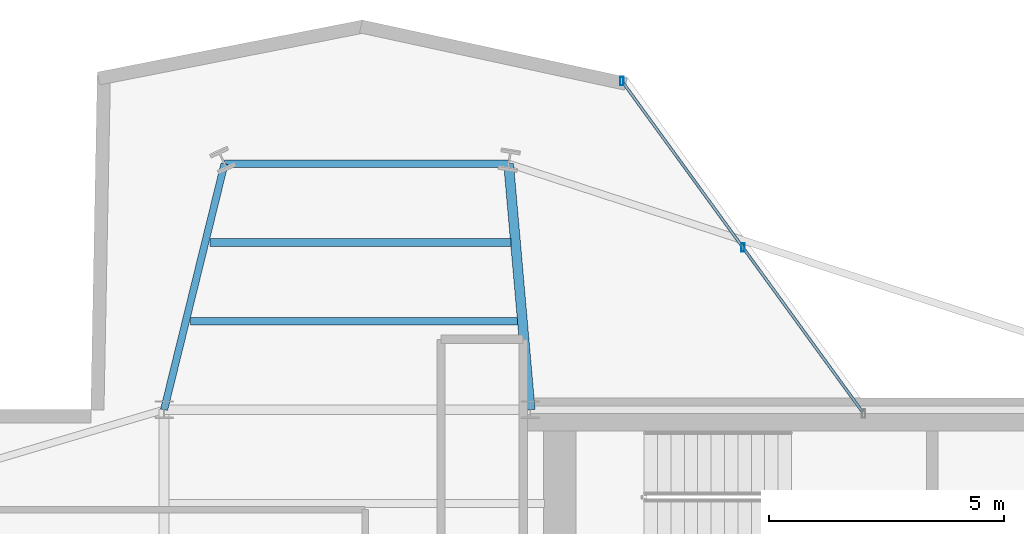
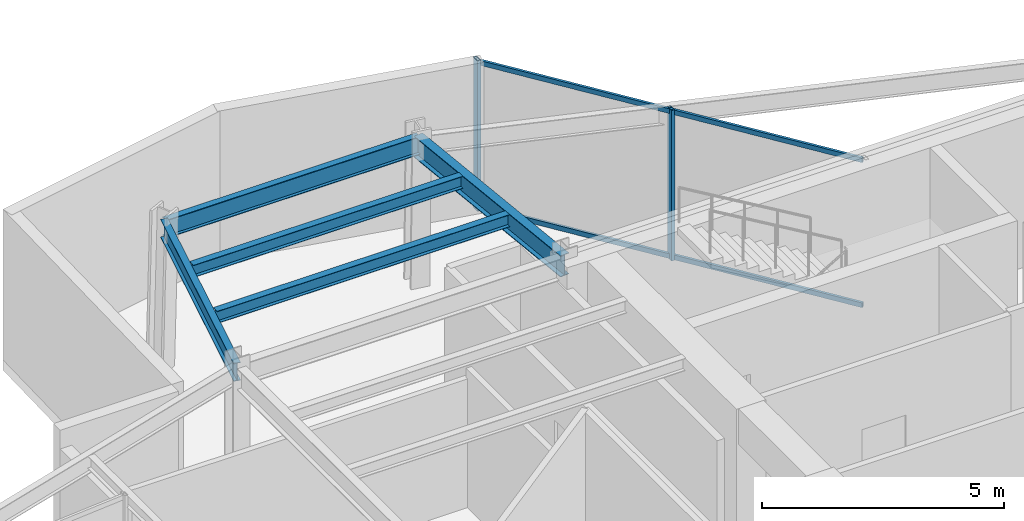
# One storey, part 11 of 21: 5 beams, 4 members, 1 element without a shape of its own.
"""IFC4 building model written with IfcOpenShell, lengths in metres."""

from ifc_helpers import new_model, si_unit, direction, frame, origin, origin_2d, place, context, subcontext, project, spatial, hollow_rectangle, i_section, extrude, material, layer, layer_set, material_profile, profile_set, type_object, element, aggregate, save


model = new_model("IFC4")

# Units and contexts
model_context = context("Model", 3, precision=1e-05, world=origin(), true_north=direction((0.0, 1.0)))
body_context = subcontext(model_context, "Body", "Model", "MODEL_VIEW")
ifc_project = project(units=[si_unit("LENGTHUNIT", "METRE"), si_unit("AREAUNIT", "SQUARE_METRE"), si_unit("VOLUMEUNIT", "CUBIC_METRE"), si_unit("PLANEANGLEUNIT", "RADIAN"), si_unit("MASSUNIT", "GRAM", prefix="KILO")], contexts=[model_context])

# Site, building, storey
site_placement = place(None, origin())
site = spatial("IfcSite", under=ifc_project, at=site_placement, CompositionType="ELEMENT")
building_placement = place(site_placement, origin())
building = spatial("IfcBuilding", under=site, at=building_placement, Name="Veymaron Broadcast Tower", CompositionType="ELEMENT")
storey_placement = place(building_placement, frame((0.0, 0.0, 232.35009765625)))
storey = spatial("IfcBuildingStorey", under=building, at=storey_placement, Name="L54", CompositionType="ELEMENT", Elevation=232.35009765625)

# Beams
ifc_material_1 = material(Name="Structural steel ASTM A992 Gr 50", Category="steel")
ifc_material_profile_1 = material_profile(ifc_material_1, i_section(OverallWidth=0.2099609375, OverallDepth=0.537109375, WebThickness=0.010986328125, FlangeThickness=0.017333984375, at=origin_2d()), Name="W530X101")
ifc_profile_set_1 = profile_set([ifc_material_profile_1], Name="Structural steel ASTM A992 Gr 50")
beam_type_1 = type_object("IfcBeamType", Name="BM-FG3", PredefinedType="BEAM", material=ifc_profile_set_1)
beam_1_placement = place(storey_placement, frame((39.0, 32.0, 3.521484375), z_axis=(-0.087442735318, 0.996169547838, 0.0), x_axis=(-0.996169547838, -0.087442735318, 0.0)))
element("IfcBeam", 1, at=beam_1_placement, inside=storey, type_object=beam_type_1, Name="L54 primary structural floor girder", PredefinedType="BEAM", context=body_context, shape_type="SweptSolid", body=[
    extrude(i_section(OverallWidth=0.2099609375, OverallDepth=0.537109375, WebThickness=0.010986328125, FlangeThickness=0.017333984375, at=origin_2d()), origin(), (0.0, 0.0, 1.0), 5.26025390625),
])
ifc_material_profile_2 = material_profile(ifc_material_1, i_section(OverallWidth=0.1650390625, OverallDepth=0.31005859375, WebThickness=0.005859375, FlangeThickness=0.009765625, at=origin_2d()), Name="W310X39")
ifc_profile_set_2 = profile_set([ifc_material_profile_2], Name="Structural steel ASTM A992 Gr 50")
beam_type_2 = type_object("IfcBeamType", Name="BM-JS3", PredefinedType="JOIST", material=ifc_profile_set_2)
beam_2_placement = place(storey_placement, frame((31.763671875, 33.886474609375, 3.635009765625), z_axis=(1.0, 0.0, 0.0), x_axis=(0.0, 1.0, 0.0)))
element("IfcBeam", 2, at=beam_2_placement, inside=storey, type_object=beam_type_2, Name="L54 Arm-B secondary joist 1", PredefinedType="JOIST", context=body_context, shape_type="SweptSolid", body=[
    extrude(i_section(OverallWidth=0.1650390625, OverallDepth=0.31005859375, WebThickness=0.005859375, FlangeThickness=0.009765625, at=origin_2d()), origin(), (0.0, 0.0, 1.0), 6.970703125),
])
beam_3_placement = place(storey_placement, frame((32.17578125, 35.563232421875, 3.635009765625), z_axis=(1.0, 0.0, 0.0), x_axis=(0.0, 1.0, 0.0)))
element("IfcBeam", 3, at=beam_3_placement, inside=storey, type_object=beam_type_2, Name="L54 Arm-B secondary joist 2", PredefinedType="JOIST", context=body_context, shape_type="SweptSolid", body=[
    extrude(i_section(OverallWidth=0.1650390625, OverallDepth=0.31005859375, WebThickness=0.005859375, FlangeThickness=0.009765625, at=origin_2d()), origin(), (0.0, 0.0, 1.0), 6.411376953125),
])
ifc_material_profile_3 = material_profile(ifc_material_1, i_section(OverallWidth=0.154052734375, OverallDepth=0.458984375, WebThickness=0.009033203125, FlangeThickness=0.015380859375, at=origin_2d()), Name="W460X68")
ifc_profile_set_3 = profile_set([ifc_material_profile_3], Name="Structural steel ASTM A992 Gr 50")
beam_type_3 = type_object("IfcBeamType", Name="BM-SP2", PredefinedType="SPANDREL", material=ifc_profile_set_3)
beam_4_placement = place(storey_placement, frame((31.199951171875, 32.0, 3.560302734375), z_axis=(0.238711883044, 0.971090437031, 0.0), x_axis=(-0.971090437031, 0.238711883044, 0.0)))
element("IfcBeam", 4, at=beam_4_placement, inside=storey, type_object=beam_type_3, Name="L54 primary structural floor girder", PredefinedType="SPANDREL", context=body_context, shape_type="SweptSolid", body=[
    extrude(i_section(OverallWidth=0.154052734375, OverallDepth=0.458984375, WebThickness=0.009033203125, FlangeThickness=0.015380859375, at=origin_2d()), origin(), (0.0, 0.0, 1.0), 5.39599609375),
])
beam_5_placement = place(storey_placement, frame((32.488037109375, 37.239990234375, 3.560302734375), z_axis=(1.0, 0.0, 0.0), x_axis=(0.0, 1.0, 0.0)))
element("IfcBeam", 5, at=beam_5_placement, inside=storey, type_object=beam_type_3, Name="L54 primary structural floor girder", PredefinedType="SPANDREL", context=body_context, shape_type="SweptSolid", body=[
    extrude(i_section(OverallWidth=0.154052734375, OverallDepth=0.458984375, WebThickness=0.009033203125, FlangeThickness=0.015380859375, at=origin_2d()), origin(), (0.0, 0.0, 1.0), 6.052001953125),
])

# Curtain wall, members
ifc_material_2 = material(Name="Anodised aluminium AA 6063-T6 and laminated low-E dark glass", Category="aluminium")
ifc_layer = layer(ifc_material_2, 0.179931640625)
ifc_layer_set = layer_set([ifc_layer], Name="Anodised aluminium AA 6063-T6 and laminated low-E dark glass")
curtain_wall_type = type_object("IfcCurtainWallType", Name="CW-SYS-05", PredefinedType="NOTDEFINED", material=ifc_layer_set)
curtain_wall_placement = place(storey_placement, origin())
curtain_wall = element("IfcCurtainWall", 6, at=curtain_wall_placement, inside=storey, type_object=curtain_wall_type, Name="L54 dark-glass curtain wall CW-L54-E5-1", PredefinedType="NOTDEFINED")
ifc_material_3 = material(Name="Anodised aluminium AA 6063-T6", Category="aluminium")
ifc_material_profile_4 = material_profile(ifc_material_3, hollow_rectangle(XDim=0.074951171875, YDim=0.179931640625, WallThickness=0.0048828125, at=origin_2d()), Name="AL180X75X5")
ifc_profile_set_4 = profile_set([ifc_material_profile_4], Name="Anodised aluminium AA 6063-T6")
member_type_1 = type_object("IfcMemberType", Name="CW-MUL-02", PredefinedType="MULLION", material=ifc_profile_set_4)
member_1_placement = place(storey_placement, frame((43.5302734375, 35.458740234375, 0.0), z_axis=(0.0, 0.0, 1.0), x_axis=(1.0, 0.0, 0.0)))
member_1 = element("IfcMember", 7, at=member_1_placement, type_object=member_type_1, Name="CW-L54-E5-1 mullion 1", PredefinedType="MULLION", context=body_context, shape_type="SweptSolid", body=[
    extrude(hollow_rectangle(XDim=0.074951171875, YDim=0.179931640625, WallThickness=0.0048828125, at=origin_2d()), origin(), (0.0, 0.0, 1.0), 3.789794921875),
])
member_2_placement = place(storey_placement, frame((40.955322265625, 38.999755859375, 0.0), z_axis=(0.0, 0.0, 1.0), x_axis=(1.0, 0.0, 0.0)))
member_2 = element("IfcMember", 8, at=member_2_placement, type_object=member_type_1, Name="CW-L54-E5-1 mullion 2", PredefinedType="MULLION", context=body_context, shape_type="SweptSolid", body=[
    extrude(hollow_rectangle(XDim=0.074951171875, YDim=0.179931640625, WallThickness=0.0048828125, at=origin_2d()), origin(), (0.0, 0.0, 1.0), 3.789794921875),
])
ifc_material_profile_5 = material_profile(ifc_material_3, hollow_rectangle(XDim=0.06005859375, YDim=0.1201171875, WallThickness=0.00390625, at=origin_2d()), Name="AL120X60X4")
ifc_profile_set_5 = profile_set([ifc_material_profile_5], Name="Anodised aluminium AA 6063-T6")
member_type_2 = type_object("IfcMemberType", Name="CW-TRN-02", PredefinedType="USERDEFINED", material=ifc_profile_set_5)
member_3_placement = place(storey_placement, frame((46.07568359375, 31.9580078125, 0.06982421875), z_axis=(-0.588116357514, 0.808776328798, 0.0), x_axis=(-0.808776328798, -0.588116357514, 0.0)))
member_3 = element("IfcMember", 9, at=member_3_placement, type_object=member_type_2, Name="CW-L54-E5-1 transom B", ObjectType="TRANSOM", PredefinedType="USERDEFINED", context=body_context, shape_type="SweptSolid", body=[
    extrude(hollow_rectangle(XDim=0.06005859375, YDim=0.1201171875, WallThickness=0.00390625, at=origin_2d()), origin(), (0.0, 0.0, 1.0), 8.656494140625),
])
member_4_placement = place(storey_placement, frame((46.07568359375, 31.9580078125, 3.719970703125), z_axis=(-0.588116357514, 0.808776328798, 0.0), x_axis=(-0.808776328798, -0.588116357514, 0.0)))
member_4 = element("IfcMember", 10, at=member_4_placement, type_object=member_type_2, Name="CW-L54-E5-1 transom T", ObjectType="TRANSOM", PredefinedType="USERDEFINED", context=body_context, shape_type="SweptSolid", body=[
    extrude(hollow_rectangle(XDim=0.06005859375, YDim=0.1201171875, WallThickness=0.00390625, at=origin_2d()), origin(), (0.0, 0.0, 1.0), 8.656494140625),
])
aggregate(curtain_wall, [member_1, member_2, member_3, member_4])

save(model, "model.ifc")
